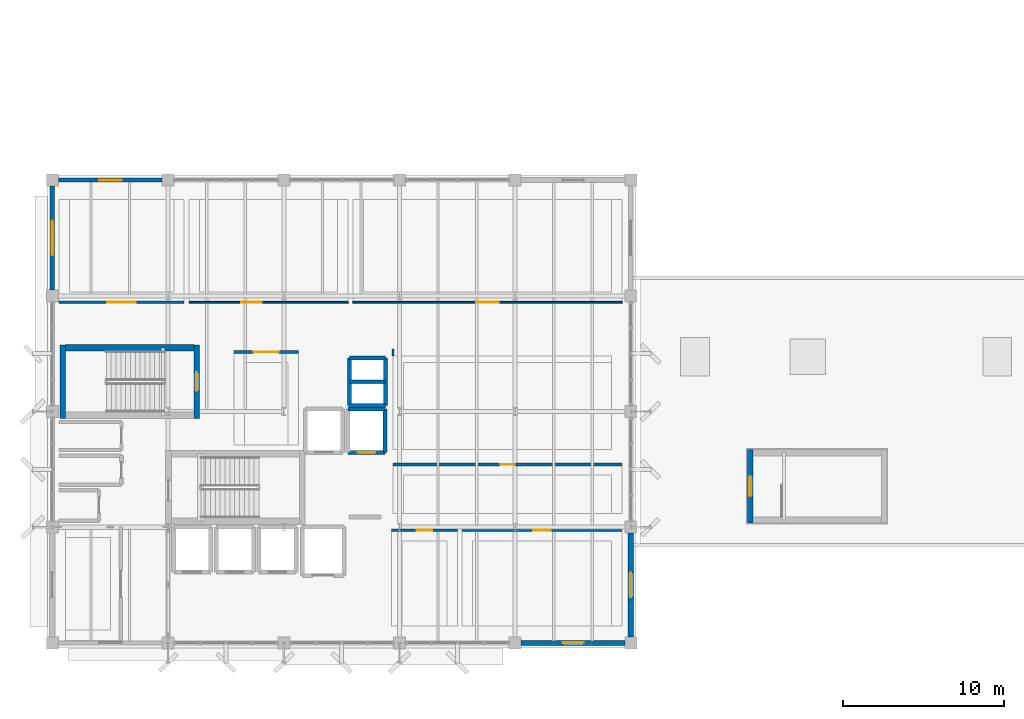
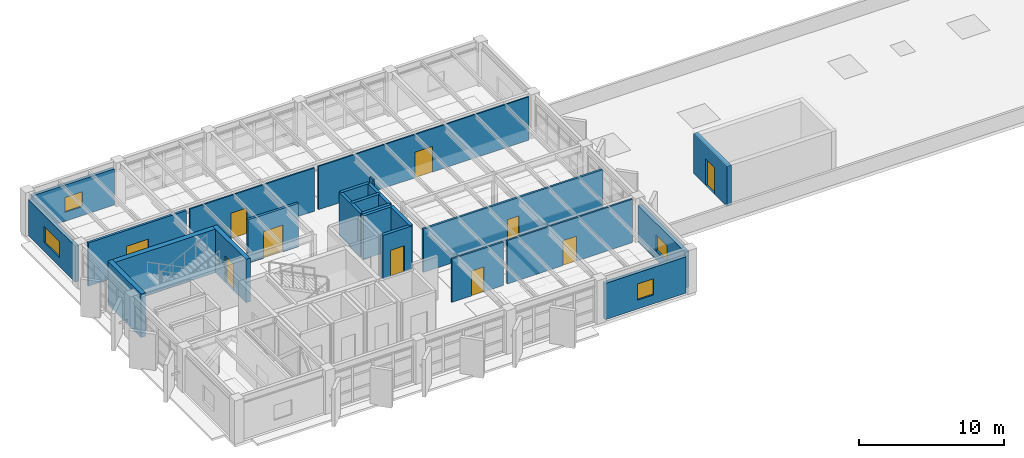
# One storey, part 23 of 32: 24 walls, 10 doors, 4 windows, 14 openings.
"""IFC4 building model written with IfcOpenShell, lengths in metres."""

from ifc_helpers import new_model, si_unit, direction, frame, frame_2d, origin, place, context, subcontext, project, spatial, rectangle, extrude, material, layer, layer_set, type_object, element, fill, save


model = new_model("IFC4")

# Units and contexts
model_context = context("Model", 3, precision=1e-05, world=origin(), true_north=direction((0.0, 1.0)))
body_context = subcontext(model_context, "Body", "Model", "MODEL_VIEW")
ifc_project = project(units=[si_unit("LENGTHUNIT", "METRE"), si_unit("AREAUNIT", "SQUARE_METRE"), si_unit("VOLUMEUNIT", "CUBIC_METRE"), si_unit("PLANEANGLEUNIT", "RADIAN"), si_unit("MASSUNIT", "GRAM", prefix="KILO")], contexts=[model_context])

# Site, building, storey
site_placement = place(None, origin())
site = spatial("IfcSite", under=ifc_project, at=site_placement, CompositionType="ELEMENT")
building_placement = place(site_placement, origin())
building = spatial("IfcBuilding", under=site, at=building_placement, Name="Kandorven Conservatory and Botanical Research Centre", CompositionType="ELEMENT")
storey_placement = place(building_placement, frame((0.0, 0.0, 17.10009765625)))
storey = spatial("IfcBuildingStorey", under=building, at=storey_placement, Name="L04", CompositionType="ELEMENT", Elevation=17.10009765625)

# Wall
ifc_material_1 = material(Name="Concrete C40/50 (M50)", Category="concrete")
ifc_layer_1 = layer(ifc_material_1, 0.39990234375)
ifc_layer_set_1 = layer_set([ifc_layer_1], Name="Concrete C40/50 (M50)")
wall_type_1 = type_object("IfcWallType", Name="Wall_CW-RC-1", PredefinedType="SHEAR", material=ifc_layer_set_1)
wall_1_placement = place(storey_placement, frame((14.800048828125, 24.35498046875, 0.0), z_axis=(0.0, 0.0, 1.0), x_axis=(-1.0, 0.0, 0.0)))
element("IfcWall", 1, at=wall_1_placement, inside=storey, type_object=wall_type_1, Name="Core stair shear wall CW-RC-1 ST-T2 L04 side A", PredefinedType="SHEAR", context=body_context, shape_type="SweptSolid", body=[
    extrude(rectangle(XDim=7.97998046875, YDim=0.39990234375, at=frame_2d((3.989990234375, 0.0))), origin(), (0.0, 0.0, 1.0), 3.659912109375),
])

# Wall, opening, door
ifc_material_2 = material(Name="Concrete C40/50 (M50)", Category="concrete")
ifc_layer_2 = layer(ifc_material_2, 0.35009765625)
ifc_layer_set_2 = layer_set([ifc_layer_2], Name="Concrete C40/50 (M50)")
wall_type_2 = type_object("IfcWallType", Name="Wall_CW-RC-2", PredefinedType="SHEAR", material=ifc_layer_set_2)
wall_2_placement = place(storey_placement, frame((14.97509765625, 24.550048828125, 0.0), z_axis=(0.0, 0.0, 1.0), x_axis=(0.0, -1.0, 0.0)))
wall_2 = element("IfcWall", 2, at=wall_2_placement, inside=storey, type_object=wall_type_2, Name="Core stair shear wall CW-RC-2 ST-T2 L04 entry", PredefinedType="SHEAR", context=body_context, shape_type="SweptSolid", body=[
    extrude(rectangle(XDim=4.590087890625, YDim=0.35009765625, at=frame_2d((2.294921875, 0.0))), origin(), (0.0, 0.0, 1.0), 3.659912109375),
])
opening_1_placement = place(wall_2_placement, frame((1.719970703125, 0.0, 0.0)))
opening_1 = element("IfcOpeningElement", 3, at=opening_1_placement, cuts=wall_2, Name="Opening FD-2", PredefinedType="OPENING", context=body_context, shape_type="SweptSolid", body=[
    extrude(rectangle(XDim=1.14990234375, YDim=2.199951171875, at=frame_2d((0.574951171875, 1.10009765625))), frame((0.0, 0.18505859375, 0.0), z_axis=(0.0, -1.0, 0.0), x_axis=(1.0, 0.0, 0.0)), (0.0, 0.0, 1.0), 0.3701171875),
])
ifc_material_3 = material(Name="Galvanised hollow steel fire door assembly", Category="steel")
door_type_1 = type_object("IfcDoorType", Name="Door_FD-2", OperationType="NOTDEFINED", PredefinedType="DOOR", material=ifc_material_3)
door_1_placement = place(opening_1_placement, origin())
door_1 = element("IfcDoor", 4, at=door_1_placement, inside=storey, type_object=door_type_1, Name="Exit stair fire door FD-2 ST-T2 L04", OperationType="SINGLE_SWING_LEFT", OverallHeight=2.199951171875, OverallWidth=1.14990234375, PredefinedType="DOOR", context=body_context, shape_type="SweptSolid", body=[
    extrude(rectangle(XDim=1.14990234375, YDim=2.199951171875, at=frame_2d((0.574951171875, 1.10009765625))), frame((0.0, 0.02490234375, 0.0), z_axis=(0.0, -1.0, 0.0), x_axis=(1.0, 0.0, 0.0)), (0.0, 0.0, 1.0), 0.050048828125),
])
fill(opening_1, door_1)

# Wall
wall_3_placement = place(storey_placement, frame((6.64501953125, 24.550048828125, 0.0), z_axis=(0.0, 0.0, 1.0), x_axis=(0.0, -1.0, 0.0)))
element("IfcWall", 5, at=wall_3_placement, inside=storey, type_object=wall_type_2, Name="Core stair shear wall CW-RC-2 ST-T2 L04 far", PredefinedType="SHEAR", context=body_context, shape_type="SweptSolid", body=[
    extrude(rectangle(XDim=4.590087890625, YDim=0.35009765625, at=frame_2d((2.294921875, 0.0))), origin(), (0.0, 0.0, 1.0), 3.659912109375),
])

# Wall, opening, door
wall_4_placement = place(storey_placement, frame((49.425048828125, 13.449951171875, 0.0), z_axis=(0.0, 0.0, 1.0), x_axis=(0.0, 1.0, 0.0)))
wall_4 = element("IfcWall", 6, at=wall_4_placement, inside=storey, type_object=wall_type_2, Name="Core stair shear wall CW-RC-2 ST-V3A L04 entry", PredefinedType="SHEAR", context=body_context, shape_type="SweptSolid", body=[
    extrude(rectangle(XDim=4.590087890625, YDim=0.35009765625, at=frame_2d((2.294921875, 0.0))), origin(), (0.0, 0.0, 1.0), 3.33984375),
])
opening_2_placement = place(wall_4_placement, frame((1.669921875, 0.0, 0.0)))
opening_2 = element("IfcOpeningElement", 7, at=opening_2_placement, cuts=wall_4, Name="Opening FD-1", PredefinedType="OPENING", context=body_context, shape_type="SweptSolid", body=[
    extrude(rectangle(XDim=1.25, YDim=2.199951171875, at=frame_2d((0.625, 1.10009765625))), frame((0.0, 0.18505859375, 0.0), z_axis=(0.0, -1.0, 0.0), x_axis=(1.0, 0.0, 0.0)), (0.0, 0.0, 1.0), 0.3701171875),
])
ifc_material_4 = material(Name="Galvanised hollow steel fire door assembly", Category="steel")
door_type_2 = type_object("IfcDoorType", Name="Door_FD-1", OperationType="NOTDEFINED", PredefinedType="DOOR", material=ifc_material_4)
door_2_placement = place(opening_2_placement, origin())
door_2 = element("IfcDoor", 8, at=door_2_placement, inside=storey, type_object=door_type_2, Name="Exit stair fire door FD-1 ST-V3A L04", OperationType="SINGLE_SWING_LEFT", OverallHeight=2.199951171875, OverallWidth=1.25, PredefinedType="DOOR", context=body_context, shape_type="SweptSolid", body=[
    extrude(rectangle(XDim=1.25, YDim=2.199951171875, at=frame_2d((0.625, 1.10009765625))), frame((0.0, 0.02490234375, 0.0), z_axis=(0.0, -1.0, 0.0), x_axis=(1.0, 0.0, 0.0)), (0.0, 0.0, 1.0), 0.050048828125),
])
fill(opening_2, door_2)

wall_5_placement = place(storey_placement, frame((24.39990234375, 17.85009765625, 0.0), z_axis=(0.0, 0.0, 1.0), x_axis=(1.0, 0.0, 0.0)))
wall_5 = element("IfcWall", 9, at=wall_5_placement, inside=storey, type_object=wall_type_2, Name="Lift shaft wall FFL-2 L04 S", PredefinedType="SHEAR", context=body_context, shape_type="SweptSolid", body=[
    extrude(rectangle(XDim=2.300048828125, YDim=0.25, at=frame_2d((1.14990234375, 0.0))), origin(), (0.0, 0.0, 1.0), 3.659912109375),
])
opening_3_placement = place(wall_5_placement, frame((0.60009765625, 0.0, 0.0)))
opening_3 = element("IfcOpeningElement", 10, at=opening_3_placement, cuts=wall_5, Name="Opening LD-01", PredefinedType="OPENING", context=body_context, shape_type="SweptSolid", body=[
    extrude(rectangle(XDim=1.10009765625, YDim=2.199951171875, at=frame_2d((0.550048828125, 1.10009765625))), frame((0.0, 0.135009765625, 0.0), z_axis=(0.0, -1.0, 0.0), x_axis=(1.0, 0.0, 0.0)), (0.0, 0.0, 1.0), 0.27001953125),
])
ifc_material_5 = material(Name="Anodised aluminium sliding landing door", Category="aluminium")
door_type_3 = type_object("IfcDoorType", Name="Door_LD-01", OperationType="DOUBLE_DOOR_SLIDING", PredefinedType="DOOR", material=ifc_material_5)
door_3_placement = place(opening_3_placement, origin())
door_3 = element("IfcDoor", 11, at=door_3_placement, inside=storey, type_object=door_type_3, Name="Lift landing sliding door LD-01 (FFL-2 L04)", OperationType="DOUBLE_DOOR_SLIDING", OverallHeight=2.199951171875, OverallWidth=1.10009765625, PredefinedType="DOOR", context=body_context, shape_type="SweptSolid", body=[
    extrude(rectangle(XDim=1.10009765625, YDim=2.199951171875, at=frame_2d((0.550048828125, 1.10009765625))), frame((0.0, 0.02490234375, 0.0), z_axis=(0.0, -1.0, 0.0), x_axis=(1.0, 0.0, 0.0)), (0.0, 0.0, 1.0), 0.050048828125),
])
fill(opening_3, door_3)

# Walls
wall_6_placement = place(storey_placement, frame((24.39990234375, 20.550048828125, 0.0), z_axis=(0.0, 0.0, 1.0), x_axis=(1.0, 0.0, 0.0)))
element("IfcWall", 12, at=wall_6_placement, inside=storey, type_object=wall_type_2, Name="Lift shaft wall FFL-2 L04 N", PredefinedType="SHEAR", context=body_context, shape_type="SweptSolid", body=[
    extrude(rectangle(XDim=2.300048828125, YDim=0.25, at=frame_2d((1.14990234375, 0.0))), origin(), (0.0, 0.0, 1.0), 3.659912109375),
])
wall_7_placement = place(storey_placement, frame((26.699951171875, 17.85009765625, 0.0), z_axis=(0.0, 0.0, 1.0), x_axis=(0.0, 1.0, 0.0)))
element("IfcWall", 13, at=wall_7_placement, inside=storey, type_object=wall_type_2, Name="Lift shaft wall FFL-2 L04 E", PredefinedType="SHEAR", context=body_context, shape_type="SweptSolid", body=[
    extrude(rectangle(XDim=2.699951171875, YDim=0.25, at=frame_2d((1.35009765625, 0.0))), origin(), (0.0, 0.0, 1.0), 3.659912109375),
])
for number, where, z_axis, x_axis, name in (
    (14, (24.47998046875, 20.780029296875, 0.0), (0.0, 0.0, 1.0), (1.0, 0.0, 0.0), "Core MEP riser shaft wall CW-RC-2 L04 S"),
    (15, (24.47998046875, 22.25, 0.0), (0.0, 0.0, 1.0), (1.0, 0.0, 0.0), "Core MEP riser shaft wall CW-RC-2 L04 M"),
    (16, (24.47998046875, 23.719970703125, 0.0), (0.0, 0.0, 1.0), (1.0, 0.0, 0.0), "Core MEP riser shaft wall CW-RC-2 L04 N"),
):
    element("IfcWall", number, at=place(storey_placement, frame(where, z_axis=z_axis, x_axis=x_axis)), inside=storey, type_object=wall_type_2, Name=name, PredefinedType="SHEAR", context=body_context, shape_type="SweptSolid", body=[
        extrude(rectangle(XDim=2.239990234375, YDim=0.239990234375, at=frame_2d((1.1201171875, 0.0))), origin(), (0.0, 0.0, 1.0), 3.659912109375),
    ])
for number, where, z_axis, x_axis, name in (
    (17, (24.47998046875, 20.780029296875, 0.0), (0.0, 0.0, 1.0), (0.0, 1.0, 0.0), "Core MEP riser shaft wall CW-RC-2 L04 W"),
    (18, (26.719970703125, 20.780029296875, 0.0), (0.0, 0.0, 1.0), (0.0, 1.0, 0.0), "Core MEP riser shaft wall CW-RC-2 L04 E"),
):
    element("IfcWall", number, at=place(storey_placement, frame(where, z_axis=z_axis, x_axis=x_axis)), inside=storey, type_object=wall_type_2, Name=name, PredefinedType="SHEAR", context=body_context, shape_type="SweptSolid", body=[
        extrude(rectangle(XDim=2.93994140625, YDim=0.239990234375, at=frame_2d((1.469970703125, 0.0))), origin(), (0.0, 0.0, 1.0), 3.659912109375),
    ])

# Wall, opening, window
ifc_material_6 = material(Name="Concrete C32/40 (M40)", Category="concrete")
ifc_layer_3 = layer(ifc_material_6, 0.340087890625)
ifc_layer_set_3 = layer_set([ifc_layer_3], Name="Concrete C32/40 (M40)")
wall_type_3 = type_object("IfcWallType", Name="Wall_EW-02", PredefinedType="STANDARD", material=ifc_layer_set_3)
wall_8_placement = place(storey_placement, frame((42.0, 6.375, 0.0), z_axis=(0.0, 0.0, 1.0), x_axis=(0.0, 1.0, 0.0)))
wall_8 = element("IfcWall", 19, at=wall_8_placement, inside=storey, type_object=wall_type_3, Name="Tower concrete facade wall EW-02 E L04", PredefinedType="STANDARD", context=body_context, shape_type="SweptSolid", body=[
    extrude(rectangle(XDim=6.449951171875, YDim=0.340087890625, at=frame_2d((3.22509765625, 0.0))), origin(), (0.0, 0.0, 1.0), 3.039794921875),
])
opening_4_placement = place(wall_8_placement, frame((2.449951171875, 0.0, 0.75)))
opening_4 = element("IfcOpeningElement", 20, at=opening_4_placement, cuts=wall_8, Name="Opening W-33", PredefinedType="OPENING", context=body_context, shape_type="SweptSolid", body=[
    extrude(rectangle(XDim=1.550048828125, YDim=1.35009765625, at=frame_2d((0.77490234375, 0.675048828125))), frame((0.0, 0.179931640625, 0.0), z_axis=(0.0, -1.0, 0.0), x_axis=(1.0, 0.0, 0.0)), (0.0, 0.0, 1.0), 0.360107421875),
])
ifc_material_7 = material(Name="Double-glazed solar-control low-E glass", Category="glass")
window_type_1 = type_object("IfcWindowType", Name="Win_W-33", PartitioningType="DOUBLE_PANEL_VERTICAL", PredefinedType="WINDOW", material=ifc_material_7)
window_1_placement = place(opening_4_placement, origin())
window_1 = element("IfcWindow", 21, at=window_1_placement, inside=storey, type_object=window_type_1, Name="Tower recessed solar window W-33", OverallHeight=1.35009765625, OverallWidth=1.550048828125, PartitioningType="SINGLE_PANEL", PredefinedType="WINDOW", context=body_context, shape_type="SweptSolid", body=[
    extrude(rectangle(XDim=1.550048828125, YDim=1.35009765625, at=frame_2d((0.77490234375, 0.675048828125))), frame((0.0, 0.030029296875, 0.0), z_axis=(0.0, -1.0, 0.0), x_axis=(1.0, 0.0, 0.0)), (0.0, 0.0, 1.0), 0.06005859375),
])
fill(opening_4, window_1)

ifc_material_8 = material(Name="Concrete C32/40 (M40)", Category="concrete")
ifc_layer_4 = layer(ifc_material_8, 0.300048828125)
ifc_layer_set_4 = layer_set([ifc_layer_4], Name="Concrete C32/40 (M40)")
wall_type_4 = type_object("IfcWallType", Name="Wall_EW-04", PredefinedType="STANDARD", material=ifc_layer_set_4)
wall_9_placement = place(storey_placement, frame((35.175048828125, 6.0, 0.0), z_axis=(0.0, 0.0, 1.0), x_axis=(1.0, 0.0, 0.0)))
wall_9 = element("IfcWall", 22, at=wall_9_placement, inside=storey, type_object=wall_type_4, Name="Tower concrete facade wall EW-04 S L04", PredefinedType="STANDARD", context=body_context, shape_type="SweptSolid", body=[
    extrude(rectangle(XDim=6.449951171875, YDim=0.300048828125, at=frame_2d((3.22509765625, 0.0))), origin(), (0.0, 0.0, 1.0), 3.039794921875),
])
opening_5_placement = place(wall_9_placement, frame((2.574951171875, 0.0, 0.75)))
opening_5 = element("IfcOpeningElement", 23, at=opening_5_placement, cuts=wall_9, Name="Opening W-32", PredefinedType="OPENING", context=body_context, shape_type="SweptSolid", body=[
    extrude(rectangle(XDim=1.300048828125, YDim=1.35009765625, at=frame_2d((0.64990234375, 0.675048828125))), frame((0.0, 0.159912109375, 0.0), z_axis=(0.0, -1.0, 0.0), x_axis=(1.0, 0.0, 0.0)), (0.0, 0.0, 1.0), 0.320068359375),
])
ifc_material_9 = material(Name="Double-glazed solar-control low-E glass", Category="glass")
window_type_2 = type_object("IfcWindowType", Name="Win_W-32", PartitioningType="DOUBLE_PANEL_VERTICAL", PredefinedType="WINDOW", material=ifc_material_9)
window_2_placement = place(opening_5_placement, origin())
window_2 = element("IfcWindow", 24, at=window_2_placement, inside=storey, type_object=window_type_2, Name="Tower recessed solar window W-32", OverallHeight=1.35009765625, OverallWidth=1.300048828125, PartitioningType="SINGLE_PANEL", PredefinedType="WINDOW", context=body_context, shape_type="SweptSolid", body=[
    extrude(rectangle(XDim=1.300048828125, YDim=1.35009765625, at=frame_2d((0.64990234375, 0.675048828125))), frame((0.0, 0.030029296875, 0.0), z_axis=(0.0, -1.0, 0.0), x_axis=(1.0, 0.0, 0.0)), (0.0, 0.0, 1.0), 0.06005859375),
])
fill(opening_5, window_2)

ifc_material_10 = material(Name="Concrete C32/40 (M40)", Category="concrete")
ifc_layer_5 = layer(ifc_material_10, 0.280029296875)
ifc_layer_set_5 = layer_set([ifc_layer_5], Name="Concrete C32/40 (M40)")
wall_type_5 = type_object("IfcWallType", Name="Wall_EW-05", PredefinedType="STANDARD", material=ifc_layer_set_5)
wall_10_placement = place(storey_placement, frame((6.0, 27.97509765625, 0.0), z_axis=(0.0, 0.0, 1.0), x_axis=(0.0, 1.0, 0.0)))
wall_10 = element("IfcWall", 25, at=wall_10_placement, inside=storey, type_object=wall_type_5, Name="Tower concrete facade wall EW-05 W L04", PredefinedType="STANDARD", context=body_context, shape_type="SweptSolid", body=[
    extrude(rectangle(XDim=6.449951171875, YDim=0.280029296875, at=frame_2d((3.22509765625, 0.0))), origin(), (0.0, 0.0, 1.0), 3.039794921875),
])
opening_6_placement = place(wall_10_placement, frame((2.14990234375, 0.0, 0.75)))
opening_6 = element("IfcOpeningElement", 26, at=opening_6_placement, cuts=wall_10, Name="Opening W-36", PredefinedType="OPENING", context=body_context, shape_type="SweptSolid", body=[
    extrude(rectangle(XDim=2.14990234375, YDim=1.35009765625, at=frame_2d((1.074951171875, 0.675048828125))), frame((0.0, 0.14990234375, 0.0), z_axis=(0.0, -1.0, 0.0), x_axis=(1.0, 0.0, 0.0)), (0.0, 0.0, 1.0), 0.300048828125),
])
ifc_material_11 = material(Name="Double-glazed solar-control low-E glass", Category="glass")
window_type_3 = type_object("IfcWindowType", Name="Win_W-36", PartitioningType="DOUBLE_PANEL_VERTICAL", PredefinedType="WINDOW", material=ifc_material_11)
window_3_placement = place(opening_6_placement, origin())
window_3 = element("IfcWindow", 27, at=window_3_placement, inside=storey, type_object=window_type_3, Name="Tower recessed solar window W-36", OverallHeight=1.35009765625, OverallWidth=2.14990234375, PartitioningType="SINGLE_PANEL", PredefinedType="WINDOW", context=body_context, shape_type="SweptSolid", body=[
    extrude(rectangle(XDim=2.14990234375, YDim=1.35009765625, at=frame_2d((1.074951171875, 0.675048828125))), frame((0.0, 0.030029296875, 0.0), z_axis=(0.0, -1.0, 0.0), x_axis=(1.0, 0.0, 0.0)), (0.0, 0.0, 1.0), 0.06005859375),
])
fill(opening_6, window_3)

ifc_material_12 = material(Name="Concrete C32/40 (M40)", Category="concrete")
ifc_layer_6 = layer(ifc_material_12, 0.260009765625)
ifc_layer_set_6 = layer_set([ifc_layer_6], Name="Concrete C32/40 (M40)")
wall_type_6 = type_object("IfcWallType", Name="Wall_EW-06", PredefinedType="STANDARD", material=ifc_layer_set_6)
wall_11_placement = place(storey_placement, frame((6.375, 34.800048828125, 0.0), z_axis=(0.0, 0.0, 1.0), x_axis=(1.0, 0.0, 0.0)))
wall_11 = element("IfcWall", 28, at=wall_11_placement, inside=storey, type_object=wall_type_6, Name="Tower concrete facade wall EW-06 N L04", PredefinedType="STANDARD", context=body_context, shape_type="SweptSolid", body=[
    extrude(rectangle(XDim=6.449951171875, YDim=0.260009765625, at=frame_2d((3.22509765625, 0.0))), origin(), (0.0, 0.0, 1.0), 3.039794921875),
])
opening_7_placement = place(wall_11_placement, frame((2.52490234375, 0.0, 0.75)))
opening_7 = element("IfcOpeningElement", 29, at=opening_7_placement, cuts=wall_11, Name="Opening W-46", PredefinedType="OPENING", context=body_context, shape_type="SweptSolid", body=[
    extrude(rectangle(XDim=1.39990234375, YDim=1.25, at=frame_2d((0.699951171875, 0.625))), frame((0.0, 0.139892578125, 0.0), z_axis=(0.0, -1.0, 0.0), x_axis=(1.0, 0.0, 0.0)), (0.0, 0.0, 1.0), 0.280029296875),
])
ifc_material_13 = material(Name="Double-glazed solar-control low-E glass", Category="glass")
window_type_4 = type_object("IfcWindowType", Name="Win_W-46", PartitioningType="DOUBLE_PANEL_VERTICAL", PredefinedType="WINDOW", material=ifc_material_13)
window_4_placement = place(opening_7_placement, origin())
window_4 = element("IfcWindow", 30, at=window_4_placement, inside=storey, type_object=window_type_4, Name="Tower recessed solar window W-46", OverallHeight=1.25, OverallWidth=1.39990234375, PartitioningType="SINGLE_PANEL", PredefinedType="WINDOW", context=body_context, shape_type="SweptSolid", body=[
    extrude(rectangle(XDim=1.39990234375, YDim=1.25, at=frame_2d((0.699951171875, 0.625))), frame((0.0, 0.030029296875, 0.0), z_axis=(0.0, -1.0, 0.0), x_axis=(1.0, 0.0, 0.0)), (0.0, 0.0, 1.0), 0.06005859375),
])
fill(opening_7, window_4)

# Wall, opening, door
ifc_material_14 = material(Name="Autoclaved aerated concrete blockwork masonry", Category="masonry")
ifc_layer_7 = layer(ifc_material_14, 0.2099609375)
ifc_layer_set_7 = layer_set([ifc_layer_7], Name="Autoclaved aerated concrete blockwork masonry")
wall_type_7 = type_object("IfcWallType", Name="Wall_IW-01", PredefinedType="PARTITIONING", material=ifc_layer_set_7)
wall_12_placement = place(storey_placement, frame((17.300048828125, 24.10009765625, 0.0), z_axis=(0.0, 0.0, 1.0), x_axis=(1.0, 0.0, 0.0)))
wall_12 = element("IfcWall", 31, at=wall_12_placement, inside=storey, type_object=wall_type_7, Name="Interior partition wall IW-01 (Botanical Specimen Preparation Laboratory L04)", PredefinedType="PARTITIONING", context=body_context, shape_type="SweptSolid", body=[
    extrude(rectangle(XDim=4.0, YDim=0.2099609375, at=frame_2d((2.0, 0.0))), origin(), (0.0, 0.0, 1.0), 3.639892578125),
])
opening_8_placement = place(wall_12_placement, frame((1.22509765625, 0.0, 0.0)))
opening_8 = element("IfcOpeningElement", 32, at=opening_8_placement, cuts=wall_12, Name="Opening D-08", PredefinedType="OPENING", context=body_context, shape_type="SweptSolid", body=[
    extrude(rectangle(XDim=1.550048828125, YDim=2.25, at=frame_2d((0.77490234375, 1.125))), frame((0.0, 0.114990234375, 0.0), z_axis=(0.0, -1.0, 0.0), x_axis=(1.0, 0.0, 0.0)), (0.0, 0.0, 1.0), 0.22998046875),
])
ifc_material_15 = material(Name="Solid core acoustic teak-veneered timber leaf", Category="wood")
door_type_4 = type_object("IfcDoorType", Name="Door_D-08", OperationType="NOTDEFINED", PredefinedType="DOOR", material=ifc_material_15)
door_4_placement = place(opening_8_placement, origin())
door_4 = element("IfcDoor", 33, at=door_4_placement, inside=storey, type_object=door_type_4, Name="Interior door D-08 to Botanical Specimen Preparation Laboratory L04", OperationType="DOUBLE_DOOR_SINGLE_SWING", OverallHeight=2.25, OverallWidth=1.550048828125, PredefinedType="DOOR", context=body_context, shape_type="SweptSolid", body=[
    extrude(rectangle(XDim=1.550048828125, YDim=2.25, at=frame_2d((0.77490234375, 1.125))), frame((0.0, 0.02490234375, 0.0), z_axis=(0.0, -1.0, 0.0), x_axis=(1.0, 0.0, 0.0)), (0.0, 0.0, 1.0), 0.050048828125),
])
fill(opening_8, door_4)

ifc_material_16 = material(Name="Autoclaved aerated concrete blockwork masonry", Category="masonry")
ifc_layer_8 = layer(ifc_material_16, 0.179931640625)
ifc_layer_set_8 = layer_set([ifc_layer_8], Name="Autoclaved aerated concrete blockwork masonry")
wall_type_8 = type_object("IfcWallType", Name="Wall_IW-03", PredefinedType="PARTITIONING", material=ifc_layer_set_8)
wall_13_placement = place(storey_placement, frame((6.39990234375, 27.199951171875, 0.0), z_axis=(0.0, 0.0, 1.0), x_axis=(1.0, 0.0, 0.0)))
wall_13 = element("IfcWall", 34, at=wall_13_placement, inside=storey, type_object=wall_type_8, Name="Interior partition wall IW-03 (Ethnobotany Field Specimen Studio L04)", PredefinedType="PARTITIONING", context=body_context, shape_type="SweptSolid", body=[
    extrude(rectangle(XDim=7.800048828125, YDim=0.179931640625, at=frame_2d((3.89990234375, 0.0))), origin(), (0.0, 0.0, 1.0), 3.639892578125),
])
opening_9_placement = place(wall_13_placement, frame((3.02490234375, 0.0, 0.0)))
opening_9 = element("IfcOpeningElement", 35, at=opening_9_placement, cuts=wall_13, Name="Opening D-10", PredefinedType="OPENING", context=body_context, shape_type="SweptSolid", body=[
    extrude(rectangle(XDim=1.75, YDim=2.300048828125, at=frame_2d((0.875, 1.14990234375))), frame((0.0, 0.099853515625, 0.0), z_axis=(0.0, -1.0, 0.0), x_axis=(1.0, 0.0, 0.0)), (0.0, 0.0, 1.0), 0.199951171875),
])
ifc_material_17 = material(Name="Solid core acoustic teak-veneered timber leaf", Category="wood")
door_type_5 = type_object("IfcDoorType", Name="Door_D-10", OperationType="NOTDEFINED", PredefinedType="DOOR", material=ifc_material_17)
door_5_placement = place(opening_9_placement, frame((1.75, 0.0, 0.0), z_axis=(0.0, 0.0, 1.0), x_axis=(-1.0, 0.0, 0.0)))
door_5 = element("IfcDoor", 36, at=door_5_placement, inside=storey, type_object=door_type_5, Name="Interior door D-10 to Ethnobotany Field Specimen Studio L04", OperationType="DOUBLE_DOOR_SINGLE_SWING", OverallHeight=2.300048828125, OverallWidth=1.75, PredefinedType="DOOR", context=body_context, shape_type="SweptSolid", body=[
    extrude(rectangle(XDim=1.75, YDim=2.300048828125, at=frame_2d((0.875, 1.14990234375))), frame((0.0, 0.02490234375, 0.0), z_axis=(0.0, -1.0, 0.0), x_axis=(1.0, 0.0, 0.0)), (0.0, 0.0, 1.0), 0.050048828125),
])
fill(opening_9, door_5)

ifc_material_18 = material(Name="Autoclaved aerated concrete blockwork masonry", Category="masonry")
ifc_layer_9 = layer(ifc_material_18, 0.1650390625)
ifc_layer_set_9 = layer_set([ifc_layer_9], Name="Autoclaved aerated concrete blockwork masonry")
wall_type_9 = type_object("IfcWallType", Name="Wall_IW-04", PredefinedType="PARTITIONING", material=ifc_layer_set_9)
wall_14_placement = place(storey_placement, frame((27.199951171875, 17.10009765625, 0.0), z_axis=(0.0, 0.0, 1.0), x_axis=(1.0, 0.0, 0.0)))
wall_14 = element("IfcWall", 37, at=wall_14_placement, inside=storey, type_object=wall_type_9, Name="Interior partition wall IW-04 (Plant Pathology Research Laboratory L04)", PredefinedType="PARTITIONING", context=body_context, shape_type="SweptSolid", body=[
    extrude(rectangle(XDim=14.25, YDim=0.1650390625, at=frame_2d((7.125, 0.0))), origin(), (0.0, 0.0, 1.0), 3.639892578125),
])
opening_10_placement = place(wall_14_placement, frame((6.6650390625, 0.0, 0.0)))
opening_10 = element("IfcOpeningElement", 38, at=opening_10_placement, cuts=wall_14, Name="Opening D-11", PredefinedType="OPENING", context=body_context, shape_type="SweptSolid", body=[
    extrude(rectangle(XDim=0.919921875, YDim=2.10009765625, at=frame_2d((0.4599609375, 1.050048828125))), frame((0.0, 0.092529296875, 0.0), z_axis=(0.0, -1.0, 0.0), x_axis=(1.0, 0.0, 0.0)), (0.0, 0.0, 1.0), 0.18505859375),
])
ifc_material_19 = material(Name="Solid core acoustic teak-veneered timber leaf", Category="wood")
door_type_6 = type_object("IfcDoorType", Name="Door_D-11", OperationType="NOTDEFINED", PredefinedType="DOOR", material=ifc_material_19)
door_6_placement = place(opening_10_placement, origin())
door_6 = element("IfcDoor", 39, at=door_6_placement, inside=storey, type_object=door_type_6, Name="Interior door D-11 to Plant Pathology Research Laboratory L04", OperationType="SINGLE_SWING_LEFT", OverallHeight=2.10009765625, OverallWidth=0.919921875, PredefinedType="DOOR", context=body_context, shape_type="SweptSolid", body=[
    extrude(rectangle(XDim=0.919921875, YDim=2.10009765625, at=frame_2d((0.4599609375, 1.050048828125))), frame((0.0, 0.02490234375, 0.0), z_axis=(0.0, -1.0, 0.0), x_axis=(1.0, 0.0, 0.0)), (0.0, 0.0, 1.0), 0.050048828125),
])
fill(opening_10, door_6)

ifc_material_20 = material(Name="Fire-rated acoustic gypsum board partition", Category="gypsum")
ifc_layer_10 = layer(ifc_material_20, 0.14990234375)
ifc_layer_set_10 = layer_set([ifc_layer_10], Name="Fire-rated acoustic gypsum board partition")
wall_type_10 = type_object("IfcWallType", Name="Wall_IW-05", PredefinedType="PARTITIONING", material=ifc_layer_set_10)
wall_15_placement = place(storey_placement, frame((27.10009765625, 13.0, 0.0), z_axis=(0.0, 0.0, 1.0), x_axis=(1.0, 0.0, 0.0)))
wall_15 = element("IfcWall", 40, at=wall_15_placement, inside=storey, type_object=wall_type_10, Name="Interior partition wall IW-05 (Phytochemistry Research Laboratory L04)", PredefinedType="PARTITIONING", context=body_context, shape_type="SweptSolid", body=[
    extrude(rectangle(XDim=4.099853515625, YDim=0.14990234375, at=frame_2d((2.0498046875, 0.0))), origin(), (0.0, 0.0, 1.0), 3.639892578125),
])
opening_11_placement = place(wall_15_placement, frame((1.56005859375, 0.0, 0.0)))
opening_11 = element("IfcOpeningElement", 41, at=opening_11_placement, cuts=wall_15, Name="Opening D-12", PredefinedType="OPENING", context=body_context, shape_type="SweptSolid", body=[
    extrude(rectangle(XDim=0.97998046875, YDim=2.10009765625, at=frame_2d((0.489990234375, 1.050048828125))), frame((0.0, 0.0849609375, 0.0), z_axis=(0.0, -1.0, 0.0), x_axis=(1.0, 0.0, 0.0)), (0.0, 0.0, 1.0), 0.169921875),
])
ifc_material_21 = material(Name="Solid core acoustic teak-veneered timber leaf", Category="wood")
door_type_7 = type_object("IfcDoorType", Name="Door_D-12", OperationType="NOTDEFINED", PredefinedType="DOOR", material=ifc_material_21)
door_7_placement = place(opening_11_placement, origin())
door_7 = element("IfcDoor", 42, at=door_7_placement, inside=storey, type_object=door_type_7, Name="Interior door D-12 to Phytochemistry Research Laboratory L04", OperationType="SINGLE_SWING_RIGHT", OverallHeight=2.10009765625, OverallWidth=0.97998046875, PredefinedType="DOOR", context=body_context, shape_type="SweptSolid", body=[
    extrude(rectangle(XDim=0.97998046875, YDim=2.10009765625, at=frame_2d((0.489990234375, 1.050048828125))), frame((0.0, 0.02490234375, 0.0), z_axis=(0.0, -1.0, 0.0), x_axis=(1.0, 0.0, 0.0)), (0.0, 0.0, 1.0), 0.050048828125),
])
fill(opening_11, door_7)

ifc_material_22 = material(Name="Fire-rated acoustic gypsum board partition", Category="gypsum")
ifc_layer_11 = layer(ifc_material_22, 0.139892578125)
ifc_layer_set_11 = layer_set([ifc_layer_11], Name="Fire-rated acoustic gypsum board partition")
wall_type_11 = type_object("IfcWallType", Name="Wall_IW-06", PredefinedType="PARTITIONING", material=ifc_layer_set_11)
wall_16_placement = place(storey_placement, frame((31.5, 13.0, 0.0), z_axis=(0.0, 0.0, 1.0), x_axis=(1.0, 0.0, 0.0)))
wall_16 = element("IfcWall", 43, at=wall_16_placement, inside=storey, type_object=wall_type_11, Name="Interior partition wall IW-06 (Seed Biology Research Laboratory L04)", PredefinedType="PARTITIONING", context=body_context, shape_type="SweptSolid", body=[
    extrude(rectangle(XDim=9.949951171875, YDim=0.139892578125, at=frame_2d((4.97509765625, 0.0))), origin(), (0.0, 0.0, 1.0), 3.639892578125),
])
opening_12_placement = place(wall_16_placement, frame((4.43505859375, 0.0, 0.0)))
opening_12 = element("IfcOpeningElement", 44, at=opening_12_placement, cuts=wall_16, Name="Opening D-13", PredefinedType="OPENING", context=body_context, shape_type="SweptSolid", body=[
    extrude(rectangle(XDim=1.080078125, YDim=2.10009765625, at=frame_2d((0.5400390625, 1.050048828125))), frame((0.0, 0.079833984375, 0.0), z_axis=(0.0, -1.0, 0.0), x_axis=(1.0, 0.0, 0.0)), (0.0, 0.0, 1.0), 0.159912109375),
])
ifc_material_23 = material(Name="Solid core acoustic teak-veneered timber leaf", Category="wood")
door_type_8 = type_object("IfcDoorType", Name="Door_D-13", OperationType="NOTDEFINED", PredefinedType="DOOR", material=ifc_material_23)
door_8_placement = place(opening_12_placement, frame((1.080078125, 0.0, 0.0), z_axis=(0.0, 0.0, 1.0), x_axis=(-1.0, 0.0, 0.0)))
door_8 = element("IfcDoor", 45, at=door_8_placement, inside=storey, type_object=door_type_8, Name="Interior door D-13 to Seed Biology Research Laboratory L04", OperationType="SINGLE_SWING_LEFT", OverallHeight=2.10009765625, OverallWidth=1.080078125, PredefinedType="DOOR", context=body_context, shape_type="SweptSolid", body=[
    extrude(rectangle(XDim=1.080078125, YDim=2.10009765625, at=frame_2d((0.5400390625, 1.050048828125))), frame((0.0, 0.02490234375, 0.0), z_axis=(0.0, -1.0, 0.0), x_axis=(1.0, 0.0, 0.0)), (0.0, 0.0, 1.0), 0.050048828125),
])
fill(opening_12, door_8)

# Wall
ifc_material_24 = material(Name="Fire-rated acoustic gypsum board partition", Category="gypsum")
ifc_layer_12 = layer(ifc_material_24, 0.1298828125)
ifc_layer_set_12 = layer_set([ifc_layer_12], Name="Fire-rated acoustic gypsum board partition")
wall_type_12 = type_object("IfcWallType", Name="Wall_IW-07", PredefinedType="PARTITIONING", material=ifc_layer_set_12)
wall_17_placement = place(storey_placement, frame((27.199951171875, 24.300048828125, 0.0), z_axis=(0.0, 0.0, 1.0), x_axis=(0.0, -1.0, 0.0)))
element("IfcWall", 46, at=wall_17_placement, inside=storey, type_object=wall_type_12, Name="Interior partition wall IW-07 (Botanical Curation Studio L04)", PredefinedType="PARTITIONING", context=body_context, shape_type="SweptSolid", body=[
    extrude(rectangle(XDim=0.449951171875, YDim=0.1298828125, at=frame_2d((0.22509765625, 0.0))), origin(), (0.0, 0.0, 1.0), 3.639892578125),
])

# Wall, opening, door
ifc_material_25 = material(Name="Fire-rated acoustic gypsum board partition", Category="gypsum")
ifc_layer_13 = layer(ifc_material_25, 0.1201171875)
ifc_layer_set_13 = layer_set([ifc_layer_13], Name="Fire-rated acoustic gypsum board partition")
wall_type_13 = type_object("IfcWallType", Name="Wall_IW-08", PredefinedType="PARTITIONING", material=ifc_layer_set_13)
wall_18_placement = place(storey_placement, frame((14.5, 27.199951171875, 0.0), z_axis=(0.0, 0.0, 1.0), x_axis=(1.0, 0.0, 0.0)))
wall_18 = element("IfcWall", 47, at=wall_18_placement, inside=storey, type_object=wall_type_13, Name="Interior partition wall IW-08 (Genomics and Bioinformatics Laboratory L04)", PredefinedType="PARTITIONING", context=body_context, shape_type="SweptSolid", body=[
    extrude(rectangle(XDim=9.89990234375, YDim=0.1201171875, at=frame_2d((4.949951171875, 0.0))), origin(), (0.0, 0.0, 1.0), 3.639892578125),
])
opening_13_placement = place(wall_18_placement, frame((3.241943359375, 0.0, 0.0)))
opening_13 = element("IfcOpeningElement", 48, at=opening_13_placement, cuts=wall_18, Name="Opening D-15", PredefinedType="OPENING", context=body_context, shape_type="SweptSolid", body=[
    extrude(rectangle(XDim=1.280029296875, YDim=2.14990234375, at=frame_2d((0.64013671875, 1.074951171875))), frame((0.0, 0.070068359375, 0.0), z_axis=(0.0, -1.0, 0.0), x_axis=(1.0, 0.0, 0.0)), (0.0, 0.0, 1.0), 0.14013671875),
])
ifc_material_26 = material(Name="Solid core acoustic teak-veneered timber leaf", Category="wood")
door_type_9 = type_object("IfcDoorType", Name="Door_D-15", OperationType="NOTDEFINED", PredefinedType="DOOR", material=ifc_material_26)
door_9_placement = place(opening_13_placement, origin())
door_9 = element("IfcDoor", 49, at=door_9_placement, inside=storey, type_object=door_type_9, Name="Interior door D-15 to Genomics and Bioinformatics Laboratory L04", OperationType="SINGLE_SWING_LEFT", OverallHeight=2.14990234375, OverallWidth=1.280029296875, PredefinedType="DOOR", context=body_context, shape_type="SweptSolid", body=[
    extrude(rectangle(XDim=1.280029296875, YDim=2.14990234375, at=frame_2d((0.64013671875, 1.074951171875))), frame((0.0, 0.02490234375, 0.0), z_axis=(0.0, -1.0, 0.0), x_axis=(1.0, 0.0, 0.0)), (0.0, 0.0, 1.0), 0.050048828125),
])
fill(opening_13, door_9)

ifc_material_27 = material(Name="Fire-rated acoustic gypsum board partition", Category="gypsum")
ifc_layer_14 = layer(ifc_material_27, 0.110107421875)
ifc_layer_set_14 = layer_set([ifc_layer_14], Name="Fire-rated acoustic gypsum board partition")
wall_type_14 = type_object("IfcWallType", Name="Wall_IW-09", PredefinedType="PARTITIONING", material=ifc_layer_set_14)
wall_19_placement = place(storey_placement, frame((24.699951171875, 27.199951171875, 0.0), z_axis=(0.0, 0.0, 1.0), x_axis=(1.0, 0.0, 0.0)))
wall_19 = element("IfcWall", 50, at=wall_19_placement, inside=storey, type_object=wall_type_14, Name="Interior partition wall IW-09 (Departmental Research Seminar Room L04)", PredefinedType="PARTITIONING", context=body_context, shape_type="SweptSolid", body=[
    extrude(rectangle(XDim=16.75, YDim=0.110107421875, at=frame_2d((8.375, 0.0))), origin(), (0.0, 0.0, 1.0), 3.639892578125),
])
opening_14_placement = place(wall_19_placement, frame((7.68505859375, 0.0, 0.0)))
opening_14 = element("IfcOpeningElement", 51, at=opening_14_placement, cuts=wall_19, Name="Opening D-16", PredefinedType="OPENING", context=body_context, shape_type="SweptSolid", body=[
    extrude(rectangle(XDim=1.3798828125, YDim=2.14990234375, at=frame_2d((0.68994140625, 1.074951171875))), frame((0.0, 0.06494140625, 0.0), z_axis=(0.0, -1.0, 0.0), x_axis=(1.0, 0.0, 0.0)), (0.0, 0.0, 1.0), 0.130126953125),
])
ifc_material_28 = material(Name="Solid core acoustic teak-veneered timber leaf", Category="wood")
door_type_10 = type_object("IfcDoorType", Name="Door_D-16", OperationType="NOTDEFINED", PredefinedType="DOOR", material=ifc_material_28)
door_10_placement = place(opening_14_placement, frame((1.3798828125, 0.0, 0.0), z_axis=(0.0, 0.0, 1.0), x_axis=(-1.0, 0.0, 0.0)))
door_10 = element("IfcDoor", 52, at=door_10_placement, inside=storey, type_object=door_type_10, Name="Interior door D-16 to Departmental Research Seminar Room L04", OperationType="SINGLE_SWING_RIGHT", OverallHeight=2.14990234375, OverallWidth=1.3798828125, PredefinedType="DOOR", context=body_context, shape_type="SweptSolid", body=[
    extrude(rectangle(XDim=1.3798828125, YDim=2.14990234375, at=frame_2d((0.68994140625, 1.074951171875))), frame((0.0, 0.02490234375, 0.0), z_axis=(0.0, -1.0, 0.0), x_axis=(1.0, 0.0, 0.0)), (0.0, 0.0, 1.0), 0.050048828125),
])
fill(opening_14, door_10)

save(model, "model.ifc")
